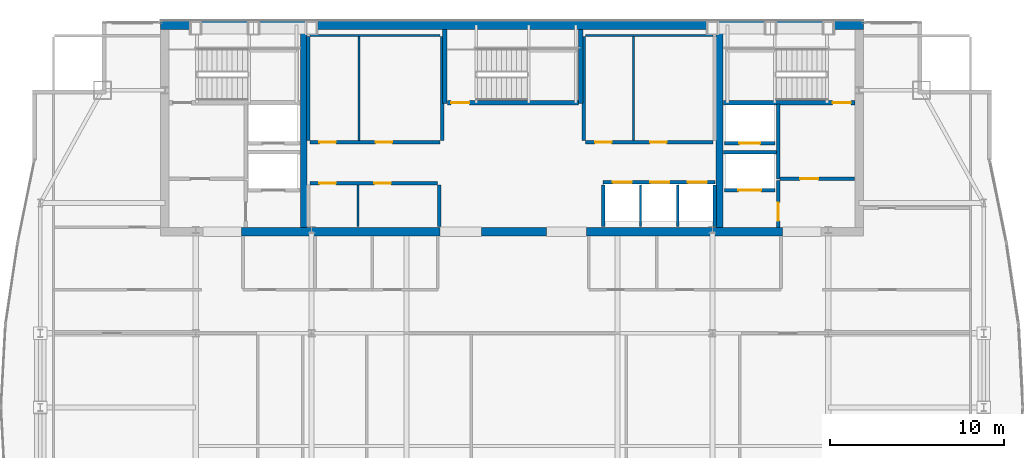
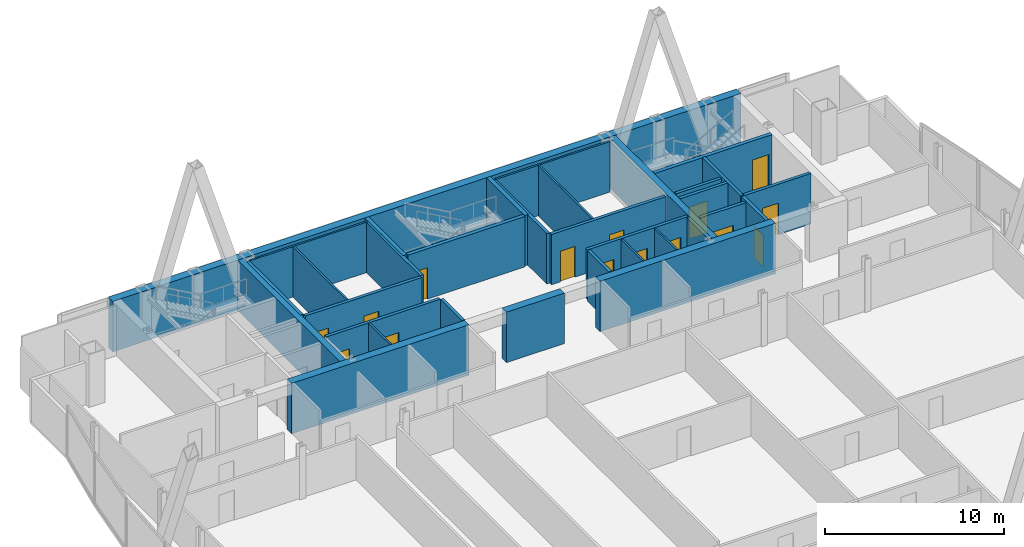
# One storey, part 28 of 31: 33 walls, 15 doors, 15 openings.
"""IFC4 building model written with IfcOpenShell, lengths in metres."""

from ifc_helpers import new_model, si_unit, direction, frame, frame_2d, origin, place, context, subcontext, project, spatial, rectangle, extrude, material, layer, layer_set, type_object, element, fill, save


model = new_model("IFC4")

# Units and contexts
model_context = context("Model", 3, precision=1e-05, world=origin(), true_north=direction((0.0, 1.0)))
body_context = subcontext(model_context, "Body", "Model", "MODEL_VIEW")
ifc_project = project(units=[si_unit("LENGTHUNIT", "METRE"), si_unit("AREAUNIT", "SQUARE_METRE"), si_unit("VOLUMEUNIT", "CUBIC_METRE"), si_unit("PLANEANGLEUNIT", "RADIAN"), si_unit("MASSUNIT", "GRAM", prefix="KILO")], contexts=[model_context])

# Site, building, storey
site_placement = place(None, origin())
site = spatial("IfcSite", under=ifc_project, at=site_placement, CompositionType="ELEMENT")
building_placement = place(site_placement, origin())
building = spatial("IfcBuilding", under=site, at=building_placement, Name="Khoronbel Lancet Exchange", CompositionType="ELEMENT")
storey_placement = place(building_placement, frame((0.0, 0.0, 273.39990234375)))
storey = spatial("IfcBuildingStorey", under=building, at=storey_placement, Name="L70", CompositionType="ELEMENT", Elevation=273.39990234375)

# Walls
ifc_material_1 = material(Name="Concrete C60/75", Category="concrete")
ifc_layer_1 = layer(ifc_material_1, 0.5, Name="Concrete C60/75")
ifc_layer_set_1 = layer_set([ifc_layer_1], Name="Concrete C60/75")
wall_type_1 = type_object("IfcWallType", Name="WL-CW4", PredefinedType="SHEAR", material=ifc_layer_set_1)
wall_1_placement = place(storey_placement, frame((16.199951171875, 53.449951171875, 0.0), z_axis=(0.0, 0.0, 1.0), x_axis=(1.0, 0.0, 0.0)))
element("IfcWall", 1, at=wall_1_placement, inside=storey, type_object=wall_type_1, Name="Level L70 rear core north shear wall", PredefinedType="SHEAR", context=body_context, shape_type="SweptSolid", body=[
    extrude(rectangle(XDim=40.5, YDim=0.5, at=frame_2d((20.25, 0.0))), origin(), (0.0, 0.0, 1.0), 3.440185546875),
])
wall_2_placement = place(storey_placement, frame((32.300048828125, 41.550048828125, 0.0), z_axis=(0.0, 0.0, 1.0), x_axis=(-1.0, 0.0, 0.0)))
element("IfcWall", 2, at=wall_2_placement, inside=storey, type_object=wall_type_1, Name="Level L70 rear core south shear wall pier P2", PredefinedType="SHEAR", context=body_context, shape_type="SweptSolid", body=[
    extrude(rectangle(XDim=11.449951171875, YDim=0.5, at=frame_2d((5.72509765625, 0.0))), origin(), (0.0, 0.0, 1.0), 3.440185546875),
])
wall_3_placement = place(storey_placement, frame((38.449951171875, 41.550048828125, 0.0), z_axis=(0.0, 0.0, 1.0), x_axis=(-1.0, 0.0, 0.0)))
element("IfcWall", 3, at=wall_3_placement, inside=storey, type_object=wall_type_1, Name="Level L70 rear core south shear wall pier P3", PredefinedType="SHEAR", context=body_context, shape_type="SweptSolid", body=[
    extrude(rectangle(XDim=3.75, YDim=0.5, at=frame_2d((1.875, 0.0))), origin(), (0.0, 0.0, 1.0), 3.440185546875),
])
wall_4_placement = place(storey_placement, frame((52.050048828125, 41.550048828125, 0.0), z_axis=(0.0, 0.0, 1.0), x_axis=(-1.0, 0.0, 0.0)))
element("IfcWall", 4, at=wall_4_placement, inside=storey, type_object=wall_type_1, Name="Level L70 rear core south shear wall pier P4", PredefinedType="SHEAR", context=body_context, shape_type="SweptSolid", body=[
    extrude(rectangle(XDim=11.300048828125, YDim=0.5, at=frame_2d((5.64990234375, 0.0))), origin(), (0.0, 0.0, 1.0), 3.440185546875),
])
ifc_material_2 = material(Name="Fire-Rated Metal-Stud & Mineral-Wool Gypsum Partition 120 mm", Category="gypsum")
ifc_layer_2 = layer(ifc_material_2, 0.1201171875, Name="Fire-Rated Metal-Stud & Mineral-Wool Gypsum Partition 120 mm")
ifc_layer_set_2 = layer_set([ifc_layer_2], Name="Fire-Rated Metal-Stud & Mineral-Wool Gypsum Partition 120 mm")
wall_type_2 = type_object("IfcWallType", Name="WL-PRT120F", PredefinedType="PARTITIONING", material=ifc_layer_set_2)
wall_5_placement = place(storey_placement, frame((24.804931640625, 52.860107421875, 0.0), z_axis=(0.0, 0.0, 1.0), x_axis=(1.0, 0.0, 0.0)))
element("IfcWall", 5, at=wall_5_placement, inside=storey, type_object=wall_type_2, Name="Level L70 interior partition CW-PL-RN", PredefinedType="PARTITIONING", context=body_context, shape_type="SweptSolid", body=[
    extrude(rectangle(XDim=7.510009765625, YDim=0.1201171875, at=frame_2d((3.7548828125, 0.0))), origin(), (0.0, 0.0, 1.0), 3.440185546875),
])
wall_6_placement = place(storey_placement, frame((27.633544921875, 46.804931640625, 0.0), z_axis=(0.0, 0.0, 1.0), x_axis=(0.0, 1.0, 0.0)))
element("IfcWall", 6, at=wall_6_placement, inside=storey, type_object=wall_type_2, Name="Level L70 interior partition CW-PL-RS1", PredefinedType="PARTITIONING", context=body_context, shape_type="SweptSolid", body=[
    extrude(rectangle(XDim=5.989990234375, YDim=0.1201171875, at=frame_2d((2.9951171875, 0.0))), origin(), (0.0, 0.0, 1.0), 3.440185546875),
])
wall_7_placement = place(storey_placement, frame((27.569091796875, 41.85009765625, 0.0), z_axis=(0.0, 0.0, 1.0), x_axis=(0.0, 1.0, 0.0)))
element("IfcWall", 7, at=wall_7_placement, inside=storey, type_object=wall_type_2, Name="Level L70 interior partition CW-PM-RS1", PredefinedType="PARTITIONING", context=body_context, shape_type="SweptSolid", body=[
    extrude(rectangle(XDim=2.39501953125, YDim=0.1201171875, at=frame_2d((1.197509765625, 0.0))), origin(), (0.0, 0.0, 1.0), 3.440185546875),
])
wall_8_placement = place(storey_placement, frame((40.68505859375, 52.860107421875, 0.0), z_axis=(0.0, 0.0, 1.0), x_axis=(1.0, 0.0, 0.0)))
element("IfcWall", 8, at=wall_8_placement, inside=storey, type_object=wall_type_2, Name="Level L70 interior partition CW-PH-RN", PredefinedType="PARTITIONING", context=body_context, shape_type="SweptSolid", body=[
    extrude(rectangle(XDim=7.349853515625, YDim=0.1201171875, at=frame_2d((3.6748046875, 0.0))), origin(), (0.0, 0.0, 1.0), 3.440185546875),
])
wall_9_placement = place(storey_placement, frame((43.452880859375, 46.804931640625, 0.0), z_axis=(0.0, 0.0, 1.0), x_axis=(0.0, 1.0, 0.0)))
element("IfcWall", 9, at=wall_9_placement, inside=storey, type_object=wall_type_2, Name="Level L70 interior partition CW-PH-RS1", PredefinedType="PARTITIONING", context=body_context, shape_type="SweptSolid", body=[
    extrude(rectangle(XDim=5.989990234375, YDim=0.1201171875, at=frame_2d((2.9951171875, 0.0))), origin(), (0.0, 0.0, 1.0), 3.440185546875),
])
for number, where, z_axis, x_axis, name in (
    (10, (43.860107421875, 41.85009765625, 0.0), (0.0, 0.0, 1.0), (0.0, 1.0, 0.0), "Level L70 interior partition CW-PX-D1"),
    (11, (46.0, 41.85009765625, 0.0), (0.0, 0.0, 1.0), (0.0, 1.0, 0.0), "Level L70 interior partition CW-PX-D2"),
):
    element("IfcWall", number, at=place(storey_placement, frame(where, z_axis=z_axis, x_axis=x_axis)), inside=storey, type_object=wall_type_2, Name=name, PredefinedType="PARTITIONING", context=body_context, shape_type="SweptSolid", body=[
        extrude(rectangle(XDim=2.39990234375, YDim=0.1201171875, at=frame_2d((1.199951171875, 0.0))), origin(), (0.0, 0.0, 1.0), 3.440185546875),
    ])

# Wall, openings, doors
ifc_material_3 = material(Name="Autoclaved Aerated Concrete Blockwork 200 mm", Category="masonry")
ifc_layer_3 = layer(ifc_material_3, 0.199951171875, Name="Autoclaved Aerated Concrete Blockwork 200 mm")
ifc_layer_set_3 = layer_set([ifc_layer_3], Name="Autoclaved Aerated Concrete Blockwork 200 mm")
wall_type_3 = type_object("IfcWallType", Name="WL-PRT200", PredefinedType="PARTITIONING", material=ifc_layer_set_3)
wall_10_placement = place(storey_placement, frame((41.679931640625, 44.39990234375, 0.0), z_axis=(0.0, 0.0, 1.0), x_axis=(1.0, 0.0, 0.0)))
wall_10 = element("IfcWall", 12, at=wall_10_placement, inside=storey, type_object=wall_type_3, Name="Level L70 elevator hoistway landing front wall PXE", PredefinedType="PARTITIONING", context=body_context, shape_type="SweptSolid", body=[
    extrude(rectangle(XDim=6.47998046875, YDim=0.199951171875, at=frame_2d((3.239990234375, 0.0))), origin(), (0.0, 0.0, 1.0), 3.440185546875),
])
opening_1_placement = place(wall_10_placement, frame((0.580078125, 0.0, 0.0)))
opening_1 = element("IfcOpeningElement", 13, at=opening_1_placement, cuts=wall_10, Name="Opening LD-PX1", PredefinedType="OPENING", context=body_context, shape_type="SweptSolid", body=[
    extrude(rectangle(XDim=1.10009765625, YDim=2.179931640625, at=frame_2d((0.550048828125, 1.08984375))), frame((0.0, 0.10986328125, 0.0), z_axis=(0.0, -1.0, 0.0), x_axis=(1.0, 0.0, 0.0)), (0.0, 0.0, 1.0), 0.219970703125),
])
opening_2_placement = place(wall_10_placement, frame((2.739990234375, 0.0, 0.0)))
opening_2 = element("IfcOpeningElement", 14, at=opening_2_placement, cuts=wall_10, Name="Opening LD-PX2", PredefinedType="OPENING", context=body_context, shape_type="SweptSolid", body=[
    extrude(rectangle(XDim=1.10009765625, YDim=2.179931640625, at=frame_2d((0.550048828125, 1.08984375))), frame((0.0, 0.10986328125, 0.0), z_axis=(0.0, -1.0, 0.0), x_axis=(1.0, 0.0, 0.0)), (0.0, 0.0, 1.0), 0.219970703125),
])
opening_3_placement = place(wall_10_placement, frame((4.89990234375, 0.0, 0.0)))
opening_3 = element("IfcOpeningElement", 15, at=opening_3_placement, cuts=wall_10, Name="Opening LD-PX3", PredefinedType="OPENING", context=body_context, shape_type="SweptSolid", body=[
    extrude(rectangle(XDim=1.10009765625, YDim=2.179931640625, at=frame_2d((0.550048828125, 1.08984375))), frame((0.0, 0.10986328125, 0.0), z_axis=(0.0, -1.0, 0.0), x_axis=(1.0, 0.0, 0.0)), (0.0, 0.0, 1.0), 0.219970703125),
])
ifc_material_4 = material(Name="Brushed Bronze Bi-Parting Elevator Landing Door", Category="steel")
door_type_1 = type_object("IfcDoorType", Name="DR-LD-PAX", OperationType="NOTDEFINED", PredefinedType="DOOR", material=ifc_material_4)
door_1_placement = place(opening_1_placement, origin())
door_1 = element("IfcDoor", 16, at=door_1_placement, inside=storey, type_object=door_type_1, Name="Elevator landing sliding door LD-PX1 L70", OperationType="SLIDING_TO_LEFT", OverallHeight=2.179931640625, OverallWidth=1.10009765625, PredefinedType="DOOR", context=body_context, shape_type="SweptSolid", body=[
    extrude(rectangle(XDim=1.10009765625, YDim=2.179931640625, at=frame_2d((0.550048828125, 1.08984375))), frame((0.0, 0.02490234375, 0.0), z_axis=(0.0, -1.0, 0.0), x_axis=(1.0, 0.0, 0.0)), (0.0, 0.0, 1.0), 0.050048828125),
])
fill(opening_1, door_1)
door_2_placement = place(opening_2_placement, origin())
door_2 = element("IfcDoor", 17, at=door_2_placement, inside=storey, type_object=door_type_1, Name="Elevator landing sliding door LD-PX2 L70", OperationType="SLIDING_TO_LEFT", OverallHeight=2.179931640625, OverallWidth=1.10009765625, PredefinedType="DOOR", context=body_context, shape_type="SweptSolid", body=[
    extrude(rectangle(XDim=1.10009765625, YDim=2.179931640625, at=frame_2d((0.550048828125, 1.08984375))), frame((0.0, 0.02490234375, 0.0), z_axis=(0.0, -1.0, 0.0), x_axis=(1.0, 0.0, 0.0)), (0.0, 0.0, 1.0), 0.050048828125),
])
fill(opening_2, door_2)
door_3_placement = place(opening_3_placement, origin())
door_3 = element("IfcDoor", 18, at=door_3_placement, inside=storey, type_object=door_type_1, Name="Elevator landing sliding door LD-PX3 L70", OperationType="SLIDING_TO_LEFT", OverallHeight=2.179931640625, OverallWidth=1.10009765625, PredefinedType="DOOR", context=body_context, shape_type="SweptSolid", body=[
    extrude(rectangle(XDim=1.10009765625, YDim=2.179931640625, at=frame_2d((0.550048828125, 1.08984375))), frame((0.0, 0.02490234375, 0.0), z_axis=(0.0, -1.0, 0.0), x_axis=(1.0, 0.0, 0.0)), (0.0, 0.0, 1.0), 0.050048828125),
])
fill(opening_3, door_3)

# Wall, opening, door
wall_11_placement = place(storey_placement, frame((51.610107421875, 43.949951171875, 0.0), z_axis=(0.0, 0.0, 1.0), x_axis=(-1.0, 0.0, 0.0)))
wall_11 = element("IfcWall", 19, at=wall_11_placement, inside=storey, type_object=wall_type_3, Name="Level L70 elevator hoistway landing front wall SVLE", PredefinedType="PARTITIONING", context=body_context, shape_type="SweptSolid", body=[
    extrude(rectangle(XDim=2.920166015625, YDim=0.199951171875, at=frame_2d((1.4599609375, 0.0))), origin(), (0.0, 0.0, 1.0), 3.440185546875),
])
opening_4_placement = place(wall_11_placement, frame((0.81005859375, 0.0, 0.0)))
opening_4 = element("IfcOpeningElement", 20, at=opening_4_placement, cuts=wall_11, Name="Opening LD-SVL2", PredefinedType="OPENING", context=body_context, shape_type="SweptSolid", body=[
    extrude(rectangle(XDim=1.300048828125, YDim=2.179931640625, at=frame_2d((0.64990234375, 1.08984375))), frame((0.0, 0.10986328125, 0.0), z_axis=(0.0, -1.0, 0.0), x_axis=(1.0, 0.0, 0.0)), (0.0, 0.0, 1.0), 0.219970703125),
])
ifc_material_5 = material(Name="Heavy-Duty Bi-Parting Goods Lift Landing Door", Category="steel")
door_type_2 = type_object("IfcDoorType", Name="DR-LD-SVL", OperationType="NOTDEFINED", PredefinedType="DOOR", material=ifc_material_5)
door_4_placement = place(opening_4_placement, origin())
door_4 = element("IfcDoor", 21, at=door_4_placement, inside=storey, type_object=door_type_2, Name="Elevator landing sliding door LD-SVL2 L70", OperationType="SLIDING_TO_LEFT", OverallHeight=2.179931640625, OverallWidth=1.300048828125, PredefinedType="DOOR", context=body_context, shape_type="SweptSolid", body=[
    extrude(rectangle(XDim=1.300048828125, YDim=2.179931640625, at=frame_2d((0.64990234375, 1.08984375))), frame((0.0, 0.02490234375, 0.0), z_axis=(0.0, -1.0, 0.0), x_axis=(1.0, 0.0, 0.0)), (0.0, 0.0, 1.0), 0.050048828125),
])
fill(opening_4, door_4)

wall_12_placement = place(storey_placement, frame((51.610107421875, 46.64990234375, 0.0), z_axis=(0.0, 0.0, 1.0), x_axis=(-1.0, 0.0, 0.0)))
wall_12 = element("IfcWall", 22, at=wall_12_placement, inside=storey, type_object=wall_type_3, Name="Level L70 elevator hoistway landing front wall FFLE", PredefinedType="PARTITIONING", context=body_context, shape_type="SweptSolid", body=[
    extrude(rectangle(XDim=2.920166015625, YDim=0.199951171875, at=frame_2d((1.4599609375, 0.0))), origin(), (0.0, 0.0, 1.0), 3.440185546875),
])
opening_5_placement = place(wall_12_placement, frame((0.860107421875, 0.0, 0.0)))
opening_5 = element("IfcOpeningElement", 23, at=opening_5_placement, cuts=wall_12, Name="Opening LD-FFL2", PredefinedType="OPENING", context=body_context, shape_type="SweptSolid", body=[
    extrude(rectangle(XDim=1.199951171875, YDim=2.179931640625, at=frame_2d((0.60009765625, 1.08984375))), frame((0.0, 0.10986328125, 0.0), z_axis=(0.0, -1.0, 0.0), x_axis=(1.0, 0.0, 0.0)), (0.0, 0.0, 1.0), 0.219970703125),
])
ifc_material_6 = material(Name="Fire-Rated Stainless Bi-Parting Firefighting Lift Door", Category="steel")
door_type_3 = type_object("IfcDoorType", Name="DR-LD-FFL", OperationType="NOTDEFINED", PredefinedType="DOOR", material=ifc_material_6)
door_5_placement = place(opening_5_placement, origin())
door_5 = element("IfcDoor", 24, at=door_5_placement, inside=storey, type_object=door_type_3, Name="Elevator landing sliding door LD-FFL2 L70", OperationType="SLIDING_TO_LEFT", OverallHeight=2.179931640625, OverallWidth=1.199951171875, PredefinedType="DOOR", context=body_context, shape_type="SweptSolid", body=[
    extrude(rectangle(XDim=1.199951171875, YDim=2.179931640625, at=frame_2d((0.60009765625, 1.08984375))), frame((0.0, 0.02490234375, 0.0), z_axis=(0.0, -1.0, 0.0), x_axis=(1.0, 0.0, 0.0)), (0.0, 0.0, 1.0), 0.050048828125),
])
fill(opening_5, door_5)

# Wall
wall_13_placement = place(storey_placement, frame((51.800048828125, 44.60009765625, 0.0), z_axis=(0.0, 0.0, 1.0), x_axis=(0.0, 1.0, 0.0)))
element("IfcWall", 25, at=wall_13_placement, inside=storey, type_object=wall_type_3, Name="Level L70 interior partition CW-FFLE-W", PredefinedType="PARTITIONING", context=body_context, shape_type="SweptSolid", body=[
    extrude(rectangle(XDim=4.2998046875, YDim=0.199951171875, at=frame_2d((2.14990234375, 0.0))), origin(), (0.0, 0.0, 1.0), 3.440185546875),
])

# Wall, opening, door
wall_14_placement = place(storey_placement, frame((51.89990234375, 44.60009765625, 0.0), z_axis=(0.0, 0.0, 1.0), x_axis=(1.0, 0.0, 0.0)))
wall_14 = element("IfcWall", 26, at=wall_14_placement, inside=storey, type_object=wall_type_3, Name="Level L70 interior partition CW-FFLE-S", PredefinedType="PARTITIONING", context=body_context, shape_type="SweptSolid", body=[
    extrude(rectangle(XDim=4.300048828125, YDim=0.199951171875, at=frame_2d((2.14990234375, 0.0))), origin(), (0.0, 0.0, 1.0), 3.440185546875),
])
opening_6_placement = place(wall_14_placement, frame((1.14990234375, 0.0, 0.0)))
opening_6 = element("IfcOpeningElement", 27, at=opening_6_placement, cuts=wall_14, Name="Opening FD1", PredefinedType="OPENING", context=body_context, shape_type="SweptSolid", body=[
    extrude(rectangle(XDim=1.050048828125, YDim=2.14990234375, at=frame_2d((0.52490234375, 1.074951171875))), frame((0.0, 0.10986328125, 0.0), z_axis=(0.0, -1.0, 0.0), x_axis=(1.0, 0.0, 0.0)), (0.0, 0.0, 1.0), 0.219970703125),
])
ifc_material_7 = material(Name="Fire-Rated Painted Steel Door Assembly", Category="steel")
door_type_4 = type_object("IfcDoorType", Name="DR-FD1", OperationType="NOTDEFINED", PredefinedType="DOOR", material=ifc_material_7)
door_6_placement = place(opening_6_placement, origin())
door_6 = element("IfcDoor", 28, at=door_6_placement, inside=storey, type_object=door_type_4, Name="East firefighting lobby FD90S door L70-1", OperationType="SINGLE_SWING_RIGHT", OverallHeight=2.14990234375, OverallWidth=1.050048828125, PredefinedType="DOOR", context=body_context, shape_type="SweptSolid", body=[
    extrude(rectangle(XDim=1.050048828125, YDim=2.14990234375, at=frame_2d((0.52490234375, 1.074951171875))), frame((0.0, 0.02490234375, 0.0), z_axis=(0.0, -1.0, 0.0), x_axis=(1.0, 0.0, 0.0)), (0.0, 0.0, 1.0), 0.050048828125),
])
fill(opening_6, door_6)

# Wall
wall_15_placement = place(storey_placement, frame((48.6298828125, 46.1201171875, 0.0), z_axis=(0.0, 0.0, 1.0), x_axis=(1.0, 0.0, 0.0)))
element("IfcWall", 29, at=wall_15_placement, inside=storey, type_object=wall_type_3, Name="Level L70 interior partition CW-FFL2-S", PredefinedType="PARTITIONING", context=body_context, shape_type="SweptSolid", body=[
    extrude(rectangle(XDim=3.070068359375, YDim=0.199951171875, at=frame_2d((1.53515625, 0.0))), origin(), (0.0, 0.0, 1.0), 3.440185546875),
])

# Wall, opening, door
wall_16_placement = place(storey_placement, frame((51.800048828125, 41.800048828125, 0.0), z_axis=(0.0, 0.0, 1.0), x_axis=(0.0, 1.0, 0.0)))
wall_16 = element("IfcWall", 30, at=wall_16_placement, inside=storey, type_object=wall_type_3, Name="Level L70 interior partition CW-SVLE-E", PredefinedType="PARTITIONING", context=body_context, shape_type="SweptSolid", body=[
    extrude(rectangle(XDim=2.695068359375, YDim=0.199951171875, at=frame_2d((1.34765625, 0.0))), origin(), (0.0, 0.0, 1.0), 3.440185546875),
])
opening_7_placement = place(wall_16_placement, frame((0.3798828125, 0.0, 0.0)))
opening_7 = element("IfcOpeningElement", 31, at=opening_7_placement, cuts=wall_16, Name="Opening FD1", PredefinedType="OPENING", context=body_context, shape_type="SweptSolid", body=[
    extrude(rectangle(XDim=1.050048828125, YDim=2.14990234375, at=frame_2d((0.52490234375, 1.074951171875))), frame((0.0, 0.10986328125, 0.0), z_axis=(0.0, -1.0, 0.0), x_axis=(1.0, 0.0, 0.0)), (0.0, 0.0, 1.0), 0.219970703125),
])
door_7_placement = place(opening_7_placement, origin())
door_7 = element("IfcDoor", 32, at=door_7_placement, inside=storey, type_object=door_type_4, Name="East service lift lobby door L70-1", OperationType="SINGLE_SWING_LEFT", OverallHeight=2.14990234375, OverallWidth=1.050048828125, PredefinedType="DOOR", context=body_context, shape_type="SweptSolid", body=[
    extrude(rectangle(XDim=1.050048828125, YDim=2.14990234375, at=frame_2d((0.52490234375, 1.074951171875))), frame((0.0, 0.02490234375, 0.0), z_axis=(0.0, -1.0, 0.0), x_axis=(1.0, 0.0, 0.0)), (0.0, 0.0, 1.0), 0.050048828125),
])
fill(opening_7, door_7)

# Walls
for number, where, z_axis, x_axis, name in (
    (33, (24.699951171875, 46.804931640625, 0.0), (0.0, 0.0, 1.0), (0.0, 1.0, 0.0), "Level L70 interior partition CW-PL-RW"),
    (34, (32.419921875, 46.804931640625, 0.0), (0.0, 0.0, 1.0), (0.0, 1.0, 0.0), "Level L70 interior partition CW-PL-RE"),
):
    element("IfcWall", number, at=place(storey_placement, frame(where, z_axis=z_axis, x_axis=x_axis)), inside=storey, type_object=wall_type_3, Name=name, PredefinedType="PARTITIONING", context=body_context, shape_type="SweptSolid", body=[
        extrude(rectangle(XDim=5.989990234375, YDim=0.199951171875, at=frame_2d((2.9951171875, 0.0))), origin(), (0.0, 0.0, 1.0), 3.440185546875),
    ])

# Wall, openings, doors
wall_17_placement = place(storey_placement, frame((24.804931640625, 46.699951171875, 0.0), z_axis=(0.0, 0.0, 1.0), x_axis=(1.0, 0.0, 0.0)))
wall_17 = element("IfcWall", 35, at=wall_17_placement, inside=storey, type_object=wall_type_3, Name="Level L70 interior partition CW-PL-RF", PredefinedType="PARTITIONING", context=body_context, shape_type="SweptSolid", body=[
    extrude(rectangle(XDim=7.510009765625, YDim=0.199951171875, at=frame_2d((3.7548828125, 0.0))), origin(), (0.0, 0.0, 1.0), 3.440185546875),
])
opening_8_placement = place(wall_17_placement, frame((0.550048828125, 0.0, 0.0)))
opening_8 = element("IfcOpeningElement", 36, at=opening_8_placement, cuts=wall_17, Name="Opening FD3", PredefinedType="OPENING", context=body_context, shape_type="SweptSolid", body=[
    extrude(rectangle(XDim=0.949951171875, YDim=2.10009765625, at=frame_2d((0.47509765625, 1.050048828125))), frame((0.0, 0.10986328125, 0.0), z_axis=(0.0, -1.0, 0.0), x_axis=(1.0, 0.0, 0.0)), (0.0, 0.0, 1.0), 0.219970703125),
])
opening_9_placement = place(wall_17_placement, frame((3.78369140625, 0.0, 0.0)))
opening_9 = element("IfcOpeningElement", 37, at=opening_9_placement, cuts=wall_17, Name="Opening FD3", PredefinedType="OPENING", context=body_context, shape_type="SweptSolid", body=[
    extrude(rectangle(XDim=0.949951171875, YDim=2.10009765625, at=frame_2d((0.47509765625, 1.050048828125))), frame((0.0, 0.10986328125, 0.0), z_axis=(0.0, -1.0, 0.0), x_axis=(1.0, 0.0, 0.0)), (0.0, 0.0, 1.0), 0.219970703125),
])
ifc_material_8 = material(Name="Fire-Rated Steel Plant & Riser Door Assembly", Category="steel")
door_type_5 = type_object("IfcDoorType", Name="DR-FD3", OperationType="NOTDEFINED", PredefinedType="DOOR", material=ifc_material_8)
door_8_placement = place(opening_8_placement, origin())
door_8 = element("IfcDoor", 38, at=door_8_placement, inside=storey, type_object=door_type_5, Name="Reclaimed PL A door L70-1", OperationType="SINGLE_SWING_RIGHT", OverallHeight=2.10009765625, OverallWidth=0.949951171875, PredefinedType="DOOR", context=body_context, shape_type="SweptSolid", body=[
    extrude(rectangle(XDim=0.949951171875, YDim=2.10009765625, at=frame_2d((0.47509765625, 1.050048828125))), frame((0.0, 0.02490234375, 0.0), z_axis=(0.0, -1.0, 0.0), x_axis=(1.0, 0.0, 0.0)), (0.0, 0.0, 1.0), 0.050048828125),
])
fill(opening_8, door_8)
door_9_placement = place(opening_9_placement, origin())
door_9 = element("IfcDoor", 39, at=door_9_placement, inside=storey, type_object=door_type_5, Name="Reclaimed PL B door L70-2", OperationType="SINGLE_SWING_LEFT", OverallHeight=2.10009765625, OverallWidth=0.949951171875, PredefinedType="DOOR", context=body_context, shape_type="SweptSolid", body=[
    extrude(rectangle(XDim=0.949951171875, YDim=2.10009765625, at=frame_2d((0.47509765625, 1.050048828125))), frame((0.0, 0.02490234375, 0.0), z_axis=(0.0, -1.0, 0.0), x_axis=(1.0, 0.0, 0.0)), (0.0, 0.0, 1.0), 0.050048828125),
])
fill(opening_9, door_9)

# Wall
wall_18_placement = place(storey_placement, frame((32.25, 41.85009765625, 0.0), z_axis=(0.0, 0.0, 1.0), x_axis=(0.0, 1.0, 0.0)))
element("IfcWall", 40, at=wall_18_placement, inside=storey, type_object=wall_type_3, Name="Level L70 interior partition CW-PM-RE", PredefinedType="PARTITIONING", context=body_context, shape_type="SweptSolid", body=[
    extrude(rectangle(XDim=2.39501953125, YDim=0.199951171875, at=frame_2d((1.197509765625, 0.0))), origin(), (0.0, 0.0, 1.0), 3.440185546875),
])

# Wall, openings, doors
wall_19_placement = place(storey_placement, frame((24.804931640625, 44.35009765625, 0.0), z_axis=(0.0, 0.0, 1.0), x_axis=(1.0, 0.0, 0.0)))
wall_19 = element("IfcWall", 41, at=wall_19_placement, inside=storey, type_object=wall_type_3, Name="Level L70 interior partition CW-PM-RF", PredefinedType="PARTITIONING", context=body_context, shape_type="SweptSolid", body=[
    extrude(rectangle(XDim=7.340087890625, YDim=0.199951171875, at=frame_2d((3.669921875, 0.0))), origin(), (0.0, 0.0, 1.0), 3.440185546875),
])
opening_10_placement = place(wall_19_placement, frame((0.550048828125, 0.0, 0.0)))
opening_10 = element("IfcOpeningElement", 42, at=opening_10_placement, cuts=wall_19, Name="Opening FD3", PredefinedType="OPENING", context=body_context, shape_type="SweptSolid", body=[
    extrude(rectangle(XDim=0.949951171875, YDim=2.10009765625, at=frame_2d((0.47509765625, 1.050048828125))), frame((0.0, 0.10986328125, 0.0), z_axis=(0.0, -1.0, 0.0), x_axis=(1.0, 0.0, 0.0)), (0.0, 0.0, 1.0), 0.219970703125),
])
opening_11_placement = place(wall_19_placement, frame((3.718994140625, 0.0, 0.0)))
opening_11 = element("IfcOpeningElement", 43, at=opening_11_placement, cuts=wall_19, Name="Opening FD3", PredefinedType="OPENING", context=body_context, shape_type="SweptSolid", body=[
    extrude(rectangle(XDim=0.949951171875, YDim=2.10009765625, at=frame_2d((0.47509765625, 1.050048828125))), frame((0.0, 0.10986328125, 0.0), z_axis=(0.0, -1.0, 0.0), x_axis=(1.0, 0.0, 0.0)), (0.0, 0.0, 1.0), 0.219970703125),
])
door_10_placement = place(opening_10_placement, origin())
door_10 = element("IfcDoor", 44, at=door_10_placement, inside=storey, type_object=door_type_5, Name="Reclaimed PM A door L70-1", OperationType="SINGLE_SWING_RIGHT", OverallHeight=2.10009765625, OverallWidth=0.949951171875, PredefinedType="DOOR", context=body_context, shape_type="SweptSolid", body=[
    extrude(rectangle(XDim=0.949951171875, YDim=2.10009765625, at=frame_2d((0.47509765625, 1.050048828125))), frame((0.0, 0.02490234375, 0.0), z_axis=(0.0, -1.0, 0.0), x_axis=(1.0, 0.0, 0.0)), (0.0, 0.0, 1.0), 0.050048828125),
])
fill(opening_10, door_10)
door_11_placement = place(opening_11_placement, origin())
door_11 = element("IfcDoor", 45, at=door_11_placement, inside=storey, type_object=door_type_5, Name="Reclaimed PM B door L70-2", OperationType="SINGLE_SWING_LEFT", OverallHeight=2.10009765625, OverallWidth=0.949951171875, PredefinedType="DOOR", context=body_context, shape_type="SweptSolid", body=[
    extrude(rectangle(XDim=0.949951171875, YDim=2.10009765625, at=frame_2d((0.47509765625, 1.050048828125))), frame((0.0, 0.02490234375, 0.0), z_axis=(0.0, -1.0, 0.0), x_axis=(1.0, 0.0, 0.0)), (0.0, 0.0, 1.0), 0.050048828125),
])
fill(opening_11, door_11)

# Wall
wall_20_placement = place(storey_placement, frame((40.580078125, 46.804931640625, 0.0), z_axis=(0.0, 0.0, 1.0), x_axis=(0.0, 1.0, 0.0)))
element("IfcWall", 46, at=wall_20_placement, inside=storey, type_object=wall_type_3, Name="Level L70 interior partition CW-PH-RW", PredefinedType="PARTITIONING", context=body_context, shape_type="SweptSolid", body=[
    extrude(rectangle(XDim=5.989990234375, YDim=0.199951171875, at=frame_2d((2.9951171875, 0.0))), origin(), (0.0, 0.0, 1.0), 3.440185546875),
])

# Wall, openings, doors
wall_21_placement = place(storey_placement, frame((40.68505859375, 46.699951171875, 0.0), z_axis=(0.0, 0.0, 1.0), x_axis=(1.0, 0.0, 0.0)))
wall_21 = element("IfcWall", 47, at=wall_21_placement, inside=storey, type_object=wall_type_3, Name="Level L70 interior partition CW-PH-RF", PredefinedType="PARTITIONING", context=body_context, shape_type="SweptSolid", body=[
    extrude(rectangle(XDim=7.349853515625, YDim=0.199951171875, at=frame_2d((3.6748046875, 0.0))), origin(), (0.0, 0.0, 1.0), 3.440185546875),
])
opening_12_placement = place(wall_21_placement, frame((0.550048828125, 0.0, 0.0)))
opening_12 = element("IfcOpeningElement", 48, at=opening_12_placement, cuts=wall_21, Name="Opening FD3", PredefinedType="OPENING", context=body_context, shape_type="SweptSolid", body=[
    extrude(rectangle(XDim=0.949951171875, YDim=2.10009765625, at=frame_2d((0.47509765625, 1.050048828125))), frame((0.0, 0.10986328125, 0.0), z_axis=(0.0, -1.0, 0.0), x_axis=(1.0, 0.0, 0.0)), (0.0, 0.0, 1.0), 0.219970703125),
])
opening_13_placement = place(wall_21_placement, frame((3.722900390625, 0.0, 0.0)))
opening_13 = element("IfcOpeningElement", 49, at=opening_13_placement, cuts=wall_21, Name="Opening FD3", PredefinedType="OPENING", context=body_context, shape_type="SweptSolid", body=[
    extrude(rectangle(XDim=0.949951171875, YDim=2.10009765625, at=frame_2d((0.47509765625, 1.050048828125))), frame((0.0, 0.10986328125, 0.0), z_axis=(0.0, -1.0, 0.0), x_axis=(1.0, 0.0, 0.0)), (0.0, 0.0, 1.0), 0.219970703125),
])
door_12_placement = place(opening_12_placement, origin())
door_12 = element("IfcDoor", 50, at=door_12_placement, inside=storey, type_object=door_type_5, Name="Reclaimed PH A door L70-1", OperationType="SINGLE_SWING_RIGHT", OverallHeight=2.10009765625, OverallWidth=0.949951171875, PredefinedType="DOOR", context=body_context, shape_type="SweptSolid", body=[
    extrude(rectangle(XDim=0.949951171875, YDim=2.10009765625, at=frame_2d((0.47509765625, 1.050048828125))), frame((0.0, 0.02490234375, 0.0), z_axis=(0.0, -1.0, 0.0), x_axis=(1.0, 0.0, 0.0)), (0.0, 0.0, 1.0), 0.050048828125),
])
fill(opening_12, door_12)
door_13_placement = place(opening_13_placement, origin())
door_13 = element("IfcDoor", 51, at=door_13_placement, inside=storey, type_object=door_type_5, Name="Reclaimed PH B door L70-2", OperationType="SINGLE_SWING_LEFT", OverallHeight=2.10009765625, OverallWidth=0.949951171875, PredefinedType="DOOR", context=body_context, shape_type="SweptSolid", body=[
    extrude(rectangle(XDim=0.949951171875, YDim=2.10009765625, at=frame_2d((0.47509765625, 1.050048828125))), frame((0.0, 0.02490234375, 0.0), z_axis=(0.0, -1.0, 0.0), x_axis=(1.0, 0.0, 0.0)), (0.0, 0.0, 1.0), 0.050048828125),
])
fill(opening_13, door_13)

# Walls
for number, where, z_axis, x_axis, name in (
    (52, (41.719970703125, 41.85009765625, 0.0), (0.0, 0.0, 1.0), (0.0, 1.0, 0.0), "Level L70 interior partition CW-PX-W"),
    (53, (48.139892578125, 41.85009765625, 0.0), (0.0, 0.0, 1.0), (0.0, 1.0, 0.0), "Level L70 interior partition CW-PX-E"),
):
    element("IfcWall", number, at=place(storey_placement, frame(where, z_axis=z_axis, x_axis=x_axis)), inside=storey, type_object=wall_type_3, Name=name, PredefinedType="PARTITIONING", context=body_context, shape_type="SweptSolid", body=[
        extrude(rectangle(XDim=2.39990234375, YDim=0.199951171875, at=frame_2d((1.199951171875, 0.0))), origin(), (0.0, 0.0, 1.0), 3.440185546875),
    ])
ifc_layer_4 = layer(ifc_material_1, 0.39990234375, Name="Concrete C60/75")
ifc_layer_set_4 = layer_set([ifc_layer_4], Name="Concrete C60/75")
wall_type_4 = type_object("IfcWallType", Name="WL-SW2", PredefinedType="SHEAR", material=ifc_layer_set_4)
for number, where, z_axis, x_axis, name in (
    (54, (24.449951171875, 41.800048828125, 0.0), (0.0, 0.0, 1.0), (0.0, 1.0, 0.0), "Level L70 rear core internal spine shear wall IW"),
    (55, (48.39990234375, 41.800048828125, 0.0), (0.0, 0.0, 1.0), (0.0, 1.0, 0.0), "Level L70 rear core internal spine shear wall IE"),
):
    element("IfcWall", number, at=place(storey_placement, frame(where, z_axis=z_axis, x_axis=x_axis)), inside=storey, type_object=wall_type_4, Name=name, PredefinedType="SHEAR", context=body_context, shape_type="SweptSolid", body=[
        extrude(rectangle(XDim=11.39990234375, YDim=0.39990234375, at=frame_2d((5.699951171875, 0.0))), origin(), (0.0, 0.0, 1.0), 3.440185546875),
    ])
ifc_layer_5 = layer(ifc_material_1, 0.260009765625, Name="Concrete C60/75")
ifc_layer_set_5 = layer_set([ifc_layer_5], Name="Concrete C60/75")
wall_type_5 = type_object("IfcWallType", Name="WL-SW3", PredefinedType="SHEAR", material=ifc_layer_set_5)
for number, where, z_axis, x_axis, name in (
    (56, (32.580078125, 48.949951171875, 0.0), (0.0, 0.0, 1.0), (0.0, 1.0, 0.0), "Level L70 central stairwell structural shear wall ST3W"),
    (57, (40.419921875, 48.949951171875, 0.0), (0.0, 0.0, 1.0), (0.0, 1.0, 0.0), "Level L70 central stairwell structural shear wall ST3E"),
):
    element("IfcWall", number, at=place(storey_placement, frame(where, z_axis=z_axis, x_axis=x_axis)), inside=storey, type_object=wall_type_5, Name=name, PredefinedType="SHEAR", context=body_context, shape_type="SweptSolid", body=[
        extrude(rectangle(XDim=4.25, YDim=0.260009765625, at=frame_2d((2.125, 0.0))), origin(), (0.0, 0.0, 1.0), 3.440185546875),
    ])

# Wall, opening, door
wall_22_placement = place(storey_placement, frame((48.6298828125, 48.97998046875, 0.0), z_axis=(0.0, 0.0, 1.0), x_axis=(1.0, 0.0, 0.0)))
wall_22 = element("IfcWall", 58, at=wall_22_placement, inside=storey, type_object=wall_type_5, Name="Level L70 east stairwell structural south wall", PredefinedType="SHEAR", context=body_context, shape_type="SweptSolid", body=[
    extrude(rectangle(XDim=7.570068359375, YDim=0.239990234375, at=frame_2d((3.78515625, 0.0))), origin(), (0.0, 0.0, 1.0), 3.440185546875),
])
opening_14_placement = place(wall_22_placement, frame((6.300048828125, 0.0, 0.0)))
opening_14 = element("IfcOpeningElement", 59, at=opening_14_placement, cuts=wall_22, Name="Opening SD1", PredefinedType="OPENING", context=body_context, shape_type="SweptSolid", body=[
    extrude(rectangle(XDim=1.050048828125, YDim=2.14990234375, at=frame_2d((0.52490234375, 1.074951171875))), frame((0.0, 0.1298828125, 0.0), z_axis=(0.0, -1.0, 0.0), x_axis=(1.0, 0.0, 0.0)), (0.0, 0.0, 1.0), 0.260009765625),
])
ifc_material_9 = material(Name="Fire-Rated Steel Stairwell Door Assembly", Category="steel")
door_type_6 = type_object("IfcDoorType", Name="DR-SD1", OperationType="NOTDEFINED", PredefinedType="DOOR", material=ifc_material_9)
door_14_placement = place(opening_14_placement, origin())
door_14 = element("IfcDoor", 60, at=door_14_placement, inside=storey, type_object=door_type_6, Name="Protected exit stair ST2 door L70", OperationType="SINGLE_SWING_RIGHT", OverallHeight=2.14990234375, OverallWidth=1.050048828125, PredefinedType="DOOR", context=body_context, shape_type="SweptSolid", body=[
    extrude(rectangle(XDim=1.050048828125, YDim=2.14990234375, at=frame_2d((0.52490234375, 1.074951171875))), frame((0.0, 0.02490234375, 0.0), z_axis=(0.0, -1.0, 0.0), x_axis=(1.0, 0.0, 0.0)), (0.0, 0.0, 1.0), 0.050048828125),
])
fill(opening_14, door_14)

wall_23_placement = place(storey_placement, frame((32.719970703125, 48.97998046875, 0.0), z_axis=(0.0, 0.0, 1.0), x_axis=(1.0, 0.0, 0.0)))
wall_23 = element("IfcWall", 61, at=wall_23_placement, inside=storey, type_object=wall_type_5, Name="Level L70 central stairwell structural south wall", PredefinedType="SHEAR", context=body_context, shape_type="SweptSolid", body=[
    extrude(rectangle(XDim=7.56005859375, YDim=0.239990234375, at=frame_2d((3.780029296875, 0.0))), origin(), (0.0, 0.0, 1.0), 3.440185546875),
])
opening_15_placement = place(wall_23_placement, frame((0.219970703125, 0.0, 0.0)))
opening_15 = element("IfcOpeningElement", 62, at=opening_15_placement, cuts=wall_23, Name="Opening SD1", PredefinedType="OPENING", context=body_context, shape_type="SweptSolid", body=[
    extrude(rectangle(XDim=1.050048828125, YDim=2.14990234375, at=frame_2d((0.52490234375, 1.074951171875))), frame((0.0, 0.1298828125, 0.0), z_axis=(0.0, -1.0, 0.0), x_axis=(1.0, 0.0, 0.0)), (0.0, 0.0, 1.0), 0.260009765625),
])
door_15_placement = place(opening_15_placement, origin())
door_15 = element("IfcDoor", 63, at=door_15_placement, inside=storey, type_object=door_type_6, Name="Protected exit stair ST3 door L70", OperationType="SINGLE_SWING_LEFT", OverallHeight=2.14990234375, OverallWidth=1.050048828125, PredefinedType="DOOR", context=body_context, shape_type="SweptSolid", body=[
    extrude(rectangle(XDim=1.050048828125, YDim=2.14990234375, at=frame_2d((0.52490234375, 1.074951171875))), frame((0.0, 0.02490234375, 0.0), z_axis=(0.0, -1.0, 0.0), x_axis=(1.0, 0.0, 0.0)), (0.0, 0.0, 1.0), 0.050048828125),
])
fill(opening_15, door_15)

save(model, "model.ifc")
